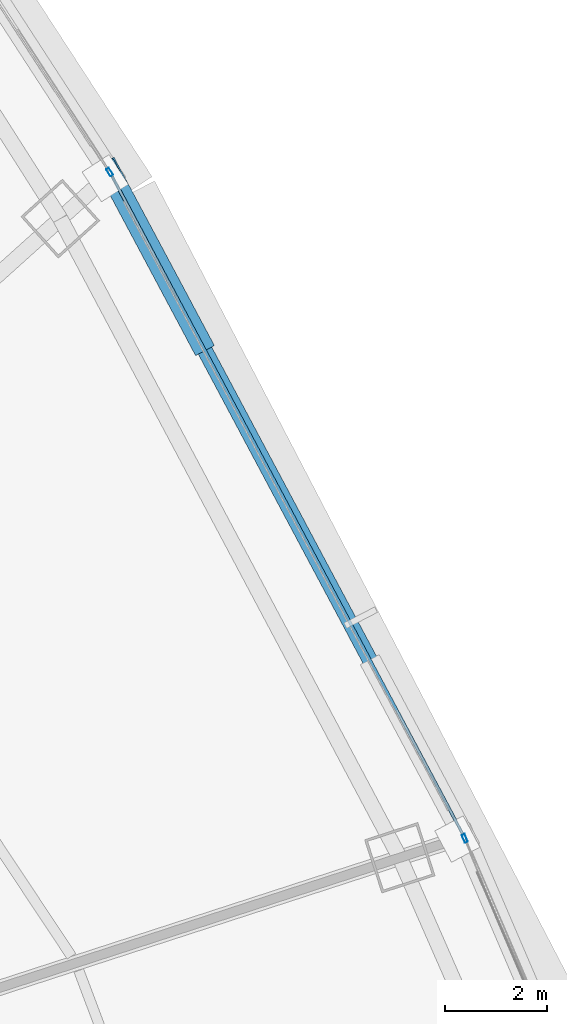
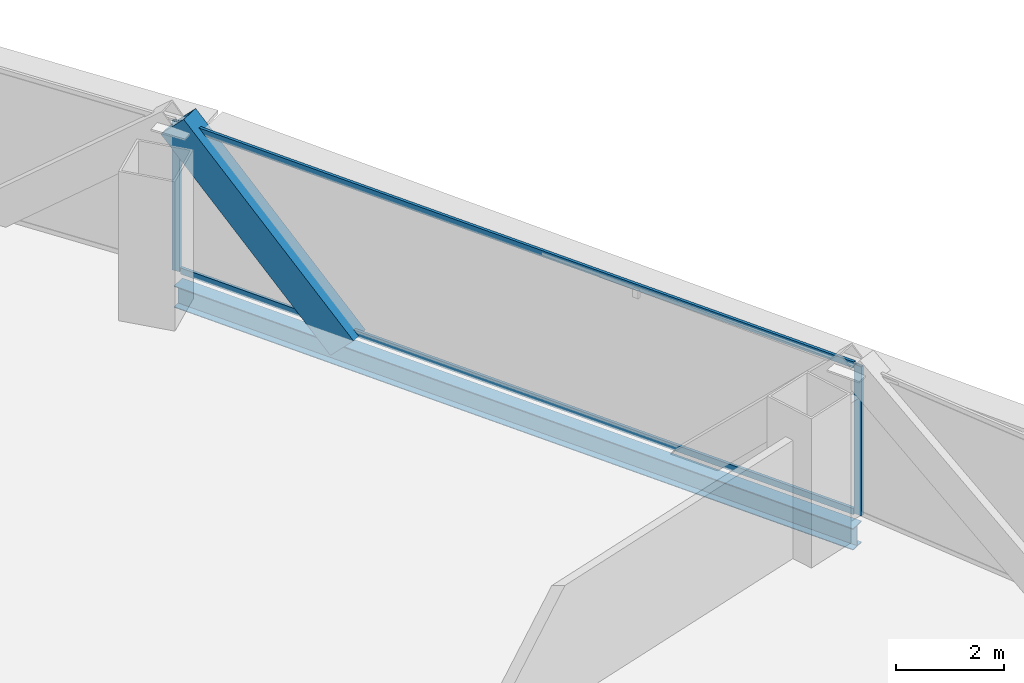
# One storey, part 24 of 37: 5 members, 1 beam, 3 elements without a shape of their own.
"""IFC4 building model written with IfcOpenShell, lengths in metres."""

import ifcopenshell
import ifcopenshell.guid

model = None  # the IFC model being written
_history = None  # IfcOwnerHistory: only IFC2X3 demands one
_inside = {}  # id of a spatial element -> (the spatial element, [elements in it])
_under = {}  # id of a project, library or spatial element -> (it, [spatial elements below it])
_declared = {}  # id of a project -> (the project, [libraries it declares])
_typed = {}  # id of a type object -> (the type object, [elements of that type])
_made_of = {}  # id of a material, layer set ... -> (it, [elements and type objects made of it])


def new_model(schema):
    """Start an empty IFC model of exactly this schema.

    Asked for "IFC4X3", IfcOpenShell would pick the latest addendum, in which some entities
    have other attributes; the version numbers below select the first issue.
    IFC2X3 requires an IfcOwnerHistory on every rooted entity: one is made here for all.
    """
    global model, _history
    if schema == "IFC4X3":
        model = ifcopenshell.file(schema_version=(4, 3, 0, 0))
    else:
        model = ifcopenshell.file(schema=schema)
    _inside.clear()
    _under.clear()
    _declared.clear()
    _typed.clear()
    _made_of.clear()
    _history = None
    if model.schema == "IFC2X3":
        org = make("IfcOrganization", Name="unknown")
        user = make(
            "IfcPersonAndOrganization",
            ThePerson=make("IfcPerson", FamilyName="unknown"),
            TheOrganization=org,
        )
        app = make(
            "IfcApplication",
            ApplicationDeveloper=org,
            Version="unknown",
            ApplicationFullName="unknown",
            ApplicationIdentifier="unknown",
        )
        _history = make(
            "IfcOwnerHistory",
            OwningUser=user,
            OwningApplication=app,
            ChangeAction="ADDED",
            CreationDate=0,
        )
    return model


def make(cls, **values):
    """One entity of the class cls with the attributes given. An attribute that is None is left unset."""
    return model.create_entity(
        cls, **{name: value for name, value in values.items() if value is not None}
    )


def rooted(cls, **values):
    """An entity with a GlobalId (a new one), such as an element, a storey or a relation."""
    return make(cls, GlobalId=ifcopenshell.guid.new(), OwnerHistory=_history, **values)


def si_unit(unit_type, name, prefix=None):
    """IfcSIUnit, for example si_unit("LENGTHUNIT", "METRE", prefix="MILLI")."""
    return make("IfcSIUnit", UnitType=unit_type, Prefix=prefix, Name=name)


def assignment(units):
    """IfcUnitAssignment: the units of a project."""
    return None if units is None else make("IfcUnitAssignment", Units=units)


def point(xyz):
    """IfcCartesianPoint."""
    return None if xyz is None else make("IfcCartesianPoint", Coordinates=xyz)


def direction(xyz):
    """IfcDirection."""
    return None if xyz is None else make("IfcDirection", DirectionRatios=xyz)


def frame(location, z_axis=None, x_axis=None):
    """IfcAxis2Placement3D, a coordinate frame: its origin and axes. An axis left out is left unset."""
    return make(
        "IfcAxis2Placement3D",
        Location=point(location),
        Axis=direction(z_axis),
        RefDirection=direction(x_axis),
    )


def frame_2d(location, x_axis=None):
    """IfcAxis2Placement2D, a coordinate frame in the plane: its origin and x axis."""
    return make(
        "IfcAxis2Placement2D", Location=point(location), RefDirection=direction(x_axis)
    )


def origin():
    """The frame at (0, 0, 0) with its axes left unset."""
    return frame((0.0, 0.0, 0.0))


def origin_2d():
    """The frame at (0, 0) in the plane with its x axis left unset."""
    return frame_2d((0.0, 0.0))


def place(relative_to, where):
    """IfcLocalPlacement: puts the frame where relative to a parent placement (None: the world)."""
    return make(
        "IfcLocalPlacement", PlacementRelTo=relative_to, RelativePlacement=where
    )


def context(
    kind, dimensions, precision=None, world=None, true_north=None, identifier=None
):
    """IfcGeometricRepresentationContext, for example the 3D "Model" context."""
    return make(
        "IfcGeometricRepresentationContext",
        ContextIdentifier=identifier,
        ContextType=kind,
        CoordinateSpaceDimension=dimensions,
        Precision=precision,
        WorldCoordinateSystem=world,
        TrueNorth=true_north,
    )


def subcontext(parent, identifier, kind, view, scale=None):
    """IfcGeometricRepresentationSubContext, for example "Body" below "Model"."""
    return make(
        "IfcGeometricRepresentationSubContext",
        ContextIdentifier=identifier,
        ContextType=kind,
        ParentContext=parent,
        TargetScale=scale,
        TargetView=view,
    )


def project(units=None, contexts=None):
    """IfcProject with its units and contexts."""
    return rooted(
        "IfcProject",
        Name="project",
        RepresentationContexts=contexts,
        UnitsInContext=assignment(units),
    )


def spatial(cls, under=None, at=None, **own):
    """A site, building, storey or space (cls), placed at a placement, below another one or the project."""
    s = rooted(cls, ObjectPlacement=at, **own)
    if under is not None:
        _under.setdefault(under.id(), (under, []))[1].append(s)
    return s


def profile(cls, at=None, kind="AREA", **sizes):
    """A parametric profile (cls). Its sizes go by their IFC names, for example OverallWidth=200.0."""
    return make(cls, ProfileType=kind, Position=at, **sizes)


def hollow_rectangle(**sizes):
    """IfcRectangleHollowProfileDef."""
    return profile("IfcRectangleHollowProfileDef", **sizes)


def i_section(**sizes):
    """IfcIShapeProfileDef."""
    return profile("IfcIShapeProfileDef", **sizes)


def extrude(swept, where, along, depth):
    """IfcExtrudedAreaSolid: the profile swept, set in the frame where, extruded along a direction by depth."""
    return make(
        "IfcExtrudedAreaSolid",
        SweptArea=swept,
        Position=where,
        ExtrudedDirection=direction(along),
        Depth=depth,
    )


def shape(context_of_items, identifier, shape_type, items):
    """IfcShapeRepresentation: the items that make up one representation, for example the "Body"."""
    return make(
        "IfcShapeRepresentation",
        ContextOfItems=context_of_items,
        RepresentationIdentifier=identifier,
        RepresentationType=shape_type,
        Items=items,
    )


def source(mapping_origin, context_of_items, identifier, shape_type, items):
    """IfcRepresentationMap: a shape defined once, which mapped items show again and again."""
    return make(
        "IfcRepresentationMap",
        MappingOrigin=mapping_origin,
        MappedRepresentation=shape(context_of_items, identifier, shape_type, items),
    )


def transform(
    local_origin,
    x_axis=None,
    y_axis=None,
    z_axis=None,
    scale=None,
    scale2=None,
    scale3=None,
    uniform=True,
):
    """IfcCartesianTransformationOperator3D, or its non-uniform kind. x_axis, y_axis, z_axis: its Axis1, 2, 3."""
    if uniform:
        return make(
            "IfcCartesianTransformationOperator3D",
            Axis1=direction(x_axis),
            Axis2=direction(y_axis),
            LocalOrigin=point(local_origin),
            Scale=scale,
            Axis3=direction(z_axis),
        )
    return make(
        "IfcCartesianTransformationOperator3DnonUniform",
        Axis1=direction(x_axis),
        Axis2=direction(y_axis),
        LocalOrigin=point(local_origin),
        Scale=scale,
        Axis3=direction(z_axis),
        Scale2=scale2,
        Scale3=scale3,
    )


def mapped(mapping_source, mapping_target):
    """IfcMappedItem: shows the shape of a source again, moved by a transform."""
    return make(
        "IfcMappedItem", MappingSource=mapping_source, MappingTarget=mapping_target
    )


def material(Name=None, Category=None):
    """IfcMaterial."""
    return make("IfcMaterial", Name=Name, Category=Category)


def layer(
    of_material, thickness, ventilated=None, Name=None, Category=None, Priority=None
):
    """IfcMaterialLayer: one layer of a wall or slab, of a material (None: an air gap)."""
    return make(
        "IfcMaterialLayer",
        Material=of_material,
        LayerThickness=thickness,
        IsVentilated=ventilated,
        Name=Name,
        Category=Category,
        Priority=Priority,
    )


def layer_set(layers, Name=None):
    """IfcMaterialLayerSet."""
    return make("IfcMaterialLayerSet", MaterialLayers=layers, LayerSetName=Name)


def material_profile(
    of_material, cross_section, Name=None, Category=None, Priority=None
):
    """IfcMaterialProfile: a cross section and its material."""
    return make(
        "IfcMaterialProfile",
        Name=Name,
        Material=of_material,
        Profile=cross_section,
        Priority=Priority,
        Category=Category,
    )


def profile_set(profiles, Name=None, composite=None):
    """IfcMaterialProfileSet."""
    return make(
        "IfcMaterialProfileSet",
        Name=Name,
        MaterialProfiles=profiles,
        CompositeProfile=composite,
    )


def made_of(thing, what):
    """Note that an element or type object is made of a material, layer set ...; save() writes the relation."""
    if what is not None:
        _made_of.setdefault(what.id(), (what, []))[1].append(thing)
    return thing


def type_object(cls, material=None, **own):
    """A type object (cls), such as IfcWallType, which elements share."""
    return made_of(rooted(cls, **own), material)


def element(
    cls,
    number,
    at=None,
    inside=None,
    cuts=None,
    type_object=None,
    material=None,
    context=None,
    identifier="Body",
    shape_type=None,
    held_by="IfcProductDefinitionShape",
    body=None,
    shapes=None,
    **own,
):
    """One element of the class cls, such as IfcWall. Its Tag is "e" and its number.

    at: its placement. inside: the storey or other place that contains it. cuts: it is an
    opening in that element (IfcRelVoidsElement). A single representation is given by context,
    identifier, shape_type and body (its items); several are given by shapes. held_by: the class
    of the entity that holds the representations. save() writes the other relations.
    """
    e = rooted(cls, Tag="e%d" % number, ObjectPlacement=at, **own)
    if body is not None:
        shapes = [shape(context, identifier, shape_type, body)]
    if shapes is not None:
        e.Representation = make(held_by, Representations=shapes)
    if inside is not None:
        _inside.setdefault(inside.id(), (inside, []))[1].append(e)
    if cuts is not None:
        rooted(
            "IfcRelVoidsElement", RelatingBuildingElement=cuts, RelatedOpeningElement=e
        )
    if type_object is not None:
        _typed.setdefault(type_object.id(), (type_object, []))[1].append(e)
    return made_of(e, material)


def aggregate(whole, parts):
    """IfcRelAggregates: a whole, such as a stair, and the parts it consists of."""
    return rooted("IfcRelAggregates", RelatingObject=whole, RelatedObjects=parts)


def save(model, path):
    """Write the relations noted so far, then the file.

    IfcRelAggregates (storeys below a building ...), IfcRelContainedInSpatialStructure (elements
    in a storey), IfcRelDefinesByType, IfcRelAssociatesMaterial and IfcRelDeclares: one each for
    every whole, place, type object, material and project.
    """
    for whole, parts in _under.values():
        aggregate(whole, parts)
    for where, things in _inside.values():
        rooted(
            "IfcRelContainedInSpatialStructure",
            RelatedElements=things,
            RelatingStructure=where,
        )
    for kind, things in _typed.values():
        rooted("IfcRelDefinesByType", RelatedObjects=things, RelatingType=kind)
    for what, things in _made_of.values():
        rooted("IfcRelAssociatesMaterial", RelatedObjects=things, RelatingMaterial=what)
    for by, libraries in _declared.values():
        rooted("IfcRelDeclares", RelatingContext=by, RelatedDefinitions=libraries)
    model.write(path)


model = new_model("IFC4")

# Units and contexts
model_context = context("Model", 3, precision=1e-05, world=origin(), true_north=direction((0.0, 1.0)))
body_context = subcontext(model_context, "Body", "Model", "MODEL_VIEW")
ifc_project = project(units=[si_unit("LENGTHUNIT", "METRE"), si_unit("AREAUNIT", "SQUARE_METRE"), si_unit("VOLUMEUNIT", "CUBIC_METRE"), si_unit("PLANEANGLEUNIT", "RADIAN"), si_unit("MASSUNIT", "GRAM", prefix="KILO"), si_unit("THERMODYNAMICTEMPERATUREUNIT", "KELVIN"), si_unit("POWERUNIT", "WATT")], contexts=[model_context])

# Site, building, storey
site_placement = place(None, origin())
site = spatial("IfcSite", under=ifc_project, at=site_placement, CompositionType="ELEMENT")
building_placement = place(site_placement, origin())
building = spatial("IfcBuilding", under=site, at=building_placement, Name="Yunzhuo Pagoda Commons", CompositionType="ELEMENT")
storey_placement = place(building_placement, frame((0.0, 0.0, 59.43994140625)))
storey = spatial("IfcBuildingStorey", under=building, at=storey_placement, Name="L15", CompositionType="ELEMENT", Elevation=59.43994140625)

# Beam
ifc_material_1 = material(Name="Structural steel Q355B", Category="steel")
ifc_material_profile_1 = material_profile(ifc_material_1, i_section(OverallWidth=0.300048828125, OverallDepth=0.488037109375, WebThickness=0.010986328125, FlangeThickness=0.01806640625, at=origin_2d()), Name="Structural steel Q355B")
ifc_profile_set_1 = profile_set([ifc_material_profile_1], Name="Structural steel Q355B")
beam_type = type_object("IfcBeamType", Name="B-SP1 Beam HM 488x300x11x18", PredefinedType="BEAM", material=ifc_profile_set_1)
shared_shape_1 = source(origin(), body_context, "Body", "SweptSolid", [
    extrude(i_section(OverallWidth=0.300048828125, OverallDepth=0.488037109375, WebThickness=0.010986328125, FlangeThickness=0.01806640625, at=origin_2d()), origin(), (0.0, 0.0, 1.0), 14.806884765625),
])
beam_placement = place(storey_placement, frame((81.602783203125, 44.618408203125, -0.50390625), z_axis=(-0.470363145456, 0.882472952218, 0.0), x_axis=(-0.882472952218, -0.470363145456, 0.0)))
element("IfcBeam", 1, at=beam_placement, inside=storey, type_object=beam_type, Name="L15 facade edge spandrel beam F2.2", PredefinedType="BEAM", context=body_context, shape_type="MappedRepresentation", body=[
    mapped(shared_shape_1, transform((0.0, 0.0, 0.0), scale=1.0)),
])

# Member
ifc_material_2 = material(Name="Structural steel Q420B", Category="steel")
ifc_material_profile_2 = material_profile(ifc_material_2, hollow_rectangle(XDim=0.419921875, YDim=0.719970703125, WallThickness=0.028076171875, at=origin_2d()), Name="Structural steel Q420B")
ifc_profile_set_2 = profile_set([ifc_material_profile_2], Name="Structural steel Q420B")
member_type_1 = type_object("IfcMemberType", Name="M-DL1 Brace BOX 720x420x28", PredefinedType="BRACE", material=ifc_profile_set_2)
shared_shape_2 = source(origin(), body_context, "Body", "SweptSolid", [
    extrude(hollow_rectangle(XDim=0.419921875, YDim=0.719970703125, WallThickness=0.028076171875, at=origin_2d()), origin(), (0.0, 0.0, 1.0), 5.184814453125),
])
member_1_placement = place(storey_placement, frame((76.379638671875, 54.41845703125, -0.260009765625), z_axis=(-0.335883110253, 0.6300457052, 0.700160656997), x_axis=(-0.882435082222, -0.470434188452, 0.0)))
element("IfcMember", 2, at=member_1_placement, inside=storey, type_object=member_type_1, Name="L15 facade diamond brace F2.2R", PredefinedType="BRACE", context=body_context, shape_type="MappedRepresentation", body=[
    mapped(shared_shape_2, transform((0.0, 0.0, 0.0), scale=1.0)),
])

# Curtain wall, member
ifc_material_3 = material(Name="Anodized aluminium 6063-T6", Category="aluminium")
ifc_layer = layer(ifc_material_3, 0.1650390625)
ifc_layer_set = layer_set([ifc_layer], Name="Anodized aluminium 6063-T6")
curtain_wall_type = type_object("IfcCurtainWallType", Name="CW-LOW Low-Zone Ribbon Curtain Wall", PredefinedType="NOTDEFINED", material=ifc_layer_set)
curtain_wall_1_placement = place(storey_placement, origin())
curtain_wall_1 = element("IfcCurtainWall", 3, at=curtain_wall_1_placement, inside=storey, type_object=curtain_wall_type, Name="L15 curtain wall CW-L15-F2B2", PredefinedType="NOTDEFINED")
ifc_material_profile_3 = material_profile(ifc_material_3, hollow_rectangle(XDim=0.06494140625, YDim=0.1650390625, WallThickness=0.00390625, at=origin_2d()), Name="Anodized aluminium 6063-T6")
ifc_profile_set_3 = profile_set([ifc_material_profile_3], Name="Anodized aluminium 6063-T6")
member_type_2 = type_object("IfcMemberType", Name="CW-LOW-M Mullion RHS 165x65x4", PredefinedType="MULLION", material=ifc_profile_set_3)
shared_shape_3 = source(origin(), body_context, "Body", "SweptSolid", [
    extrude(hollow_rectangle(XDim=0.06494140625, YDim=0.1650390625, WallThickness=0.00390625, at=origin_2d()), origin(), (0.0, 0.0, 1.0), 3.3701171875),
])
member_2_placement = place(storey_placement, frame((81.61572265625, 44.58837890625, 0.0), z_axis=(0.0, 0.0, 1.0), x_axis=(-0.918993139703, -0.394273520769, 0.0)))
member_2 = element("IfcMember", 4, at=member_2_placement, type_object=member_type_2, Name="CW mullion 2", PredefinedType="MULLION", context=body_context, shape_type="MappedRepresentation", body=[
    mapped(shared_shape_3, transform((0.0, 0.0, 0.0), scale=1.0)),
])
aggregate(curtain_wall_1, [member_2])

curtain_wall_2_placement = place(storey_placement, origin())
curtain_wall_2 = element("IfcCurtainWall", 5, at=curtain_wall_2_placement, inside=storey, type_object=curtain_wall_type, Name="L15 curtain wall CW-L15-F2B4", PredefinedType="NOTDEFINED")
member_3_placement = place(storey_placement, frame((74.620361328125, 57.71240234375, 0.0), z_axis=(0.0, 0.0, 1.0), x_axis=(-0.838776712394, -0.544475552018, 0.0)))
member_3 = element("IfcMember", 6, at=member_3_placement, type_object=member_type_2, Name="CW mullion 1", PredefinedType="MULLION", context=body_context, shape_type="MappedRepresentation", body=[
    mapped(shared_shape_3, transform((0.0, 0.0, 0.0), scale=1.0)),
])
aggregate(curtain_wall_2, [member_3])

# Curtain wall, members
curtain_wall_3_placement = place(storey_placement, origin())
curtain_wall_3 = element("IfcCurtainWall", 7, at=curtain_wall_3_placement, inside=storey, type_object=curtain_wall_type, Name="L15 curtain wall CW-L15-F2B3", PredefinedType="NOTDEFINED")
ifc_material_profile_4 = material_profile(ifc_material_3, hollow_rectangle(XDim=0.06005859375, YDim=0.139892578125, WallThickness=0.00341796875, at=origin_2d()), Name="Anodized aluminium 6063-T6")
ifc_profile_set_4 = profile_set([ifc_material_profile_4], Name="Anodized aluminium 6063-T6")
member_type_3 = type_object("IfcMemberType", Name="CW-LOW-T Transom RHS 140x60x3.5", PredefinedType="USERDEFINED", material=ifc_profile_set_4)
shared_shape_4 = source(origin(), body_context, "Body", "SweptSolid", [
    extrude(hollow_rectangle(XDim=0.06005859375, YDim=0.139892578125, WallThickness=0.00341796875, at=origin_2d()), origin(), (0.0, 0.0, 1.0), 14.677001953125),
])
member_4_placement = place(storey_placement, frame((81.572265625, 44.67578125, 0.030029296875), z_axis=(-0.470362882364, 0.882473092448, 0.0), x_axis=(-0.882473092448, -0.470362882364, 0.0)))
member_4 = element("IfcMember", 8, at=member_4_placement, type_object=member_type_3, Name="CW transom 1.1", ObjectType="TRANSOM", PredefinedType="USERDEFINED", context=body_context, shape_type="MappedRepresentation", body=[
    mapped(shared_shape_4, transform((0.0, 0.0, 0.0), scale=1.0)),
])
member_5_placement = place(storey_placement, frame((81.572265625, 44.67578125, 3.340087890625), z_axis=(-0.470362882364, 0.882473092448, 0.0), x_axis=(-0.882473092448, -0.470362882364, 0.0)))
member_5 = element("IfcMember", 9, at=member_5_placement, type_object=member_type_3, Name="CW transom 1.2", ObjectType="TRANSOM", PredefinedType="USERDEFINED", context=body_context, shape_type="MappedRepresentation", body=[
    mapped(shared_shape_4, transform((0.0, 0.0, 0.0), scale=1.0)),
])
aggregate(curtain_wall_3, [member_4, member_5])

save(model, "model.ifc")
